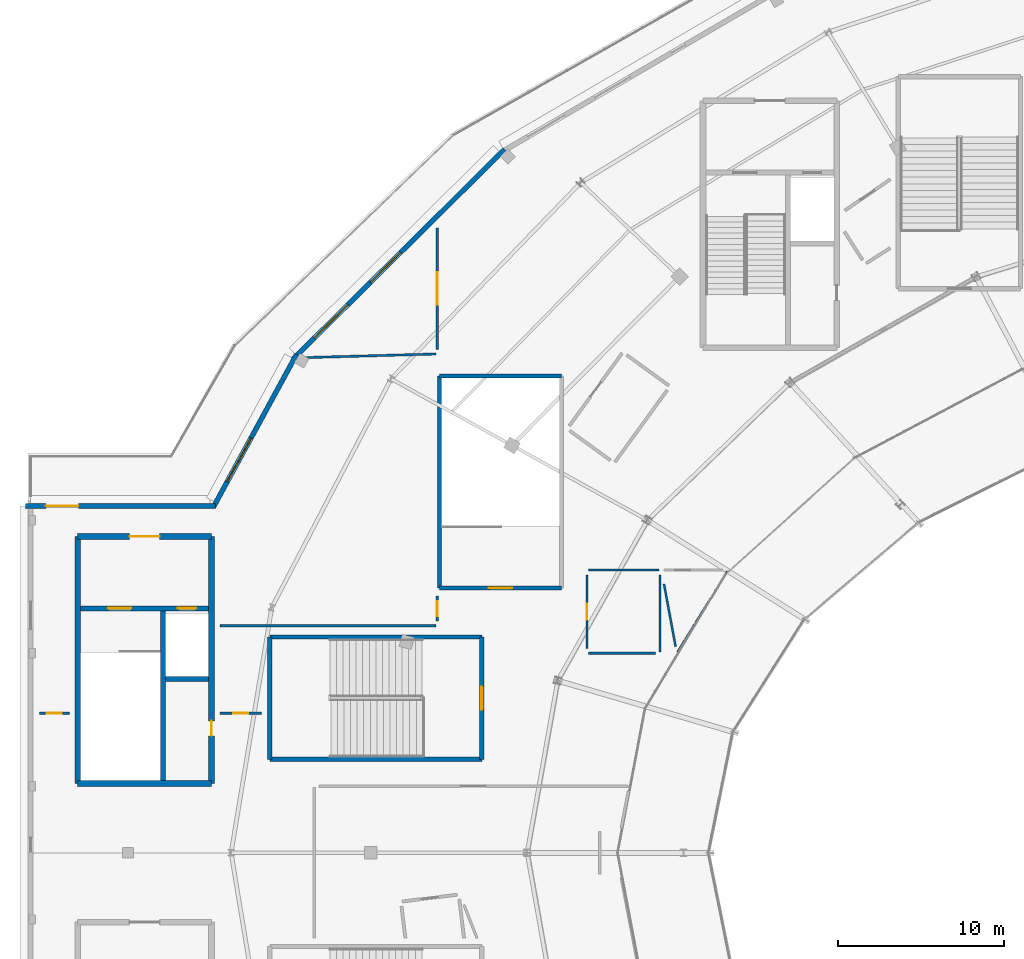
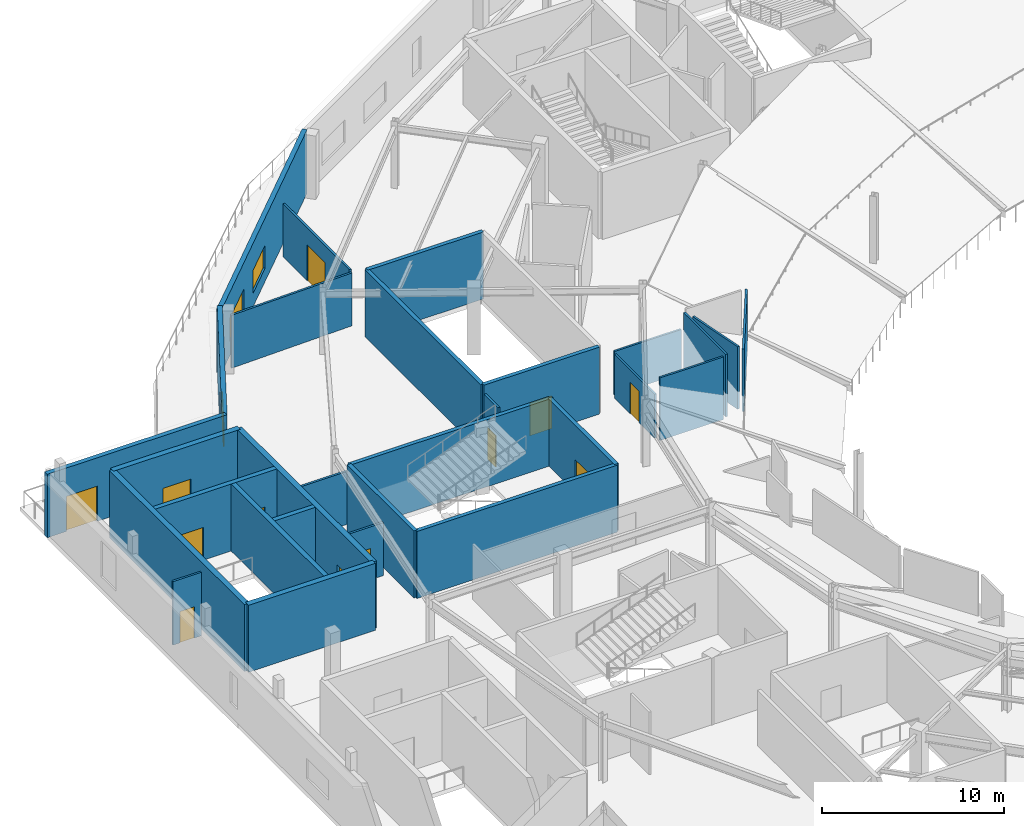
# One storey, part 36 of 63: 29 walls, 12 doors, 3 windows, 15 openings.
"""IFC4 building model written with IfcOpenShell, lengths in metres."""

from ifc_helpers import new_model, si_unit, direction, frame, frame_2d, origin, place, context, subcontext, project, spatial, rectangle, extrude, material, layer, layer_set, type_object, element, fill, save


model = new_model("IFC4")

# Units and contexts
model_context = context("Model", 3, precision=1e-05, world=origin(), true_north=direction((0.0, 1.0)))
body_context = subcontext(model_context, "Body", "Model", "MODEL_VIEW")
ifc_project = project(units=[si_unit("LENGTHUNIT", "METRE"), si_unit("AREAUNIT", "SQUARE_METRE"), si_unit("VOLUMEUNIT", "CUBIC_METRE"), si_unit("PLANEANGLEUNIT", "RADIAN"), si_unit("MASSUNIT", "GRAM", prefix="KILO")], contexts=[model_context])

# Site, building, storey
site_placement = place(None, origin())
site = spatial("IfcSite", under=ifc_project, at=site_placement, CompositionType="ELEMENT")
building_placement = place(site_placement, origin())
building = spatial("IfcBuilding", under=site, at=building_placement, Name="Kalgoora Escarpment Arena", CompositionType="ELEMENT")
storey_placement = place(building_placement, frame((0.0, 0.0, 14.39990234375)))
storey = spatial("IfcBuildingStorey", under=building, at=storey_placement, Name="L03", CompositionType="ELEMENT", Elevation=14.39990234375)

# Wall
ifc_material_1 = material(Name="Concrete N50 (fc' 50 MPa)", Category="concrete")
ifc_layer_1 = layer(ifc_material_1, 0.35009765625)
ifc_layer_set_1 = layer_set([ifc_layer_1], Name="WAL-CORE-350")
wall_type_1 = type_object("IfcWallType", Name="WAL-CORE-350", PredefinedType="SHEAR", material=ifc_layer_set_1)
wall_1_placement = place(storey_placement, frame((11.375, 68.175048828125, 0.0), z_axis=(0.0, 0.0, 1.0), x_axis=(1.0, 0.0, 0.0)))
element("IfcWall", 1, at=wall_1_placement, inside=storey, type_object=wall_type_1, Name="Core C1 L03 south shear wall", PredefinedType="SHEAR", context=body_context, shape_type="SweptSolid", body=[
    extrude(rectangle(XDim=8.050048828125, YDim=0.35009765625, at=frame_2d((4.02490234375, 0.0))), origin(), (0.0, 0.0, 1.0), 4.5),
])

# Wall, opening, door
wall_2_placement = place(storey_placement, frame((11.375, 83.02490234375, 0.0), z_axis=(0.0, 0.0, 1.0), x_axis=(1.0, 0.0, 0.0)))
wall_2 = element("IfcWall", 2, at=wall_2_placement, inside=storey, type_object=wall_type_1, Name="Core C1 L03 north lobby wall", PredefinedType="SHEAR", context=body_context, shape_type="SweptSolid", body=[
    extrude(rectangle(XDim=8.050048828125, YDim=0.35009765625, at=frame_2d((4.02490234375, 0.0))), origin(), (0.0, 0.0, 1.0), 4.5),
])
opening_1_placement = place(wall_2_placement, frame((3.125, 0.0, 0.0)))
opening_1 = element("IfcOpeningElement", 3, at=opening_1_placement, cuts=wall_2, Name="Opening FD-C1L", PredefinedType="OPENING", context=body_context, shape_type="SweptSolid", body=[
    extrude(rectangle(XDim=1.800048828125, YDim=2.25, at=frame_2d((0.89990234375, 1.125))), frame((0.0, 0.18505859375, 0.0), z_axis=(0.0, -1.0, 0.0), x_axis=(1.0, 0.0, 0.0)), (0.0, 0.0, 1.0), 0.3701171875),
])
ifc_material_2 = material(Name="Double fire-rated smoke-seal lobby door")
door_type_1 = type_object("IfcDoorType", Name="DR-LOBBY-1800", OperationType="NOTDEFINED", PredefinedType="DOOR", material=ifc_material_2)
door_1_placement = place(opening_1_placement, origin())
door_1 = element("IfcDoor", 4, at=door_1_placement, inside=storey, type_object=door_type_1, Name="Core C1 L03 smoke-lobby fire door", OperationType="DOUBLE_DOOR_SINGLE_SWING", OverallHeight=2.25, OverallWidth=1.800048828125, PredefinedType="DOOR", context=body_context, shape_type="SweptSolid", body=[
    extrude(rectangle(XDim=1.800048828125, YDim=2.25, at=frame_2d((0.89990234375, 1.125))), frame((0.0, 0.02490234375, 0.0), z_axis=(0.0, -1.0, 0.0), x_axis=(1.0, 0.0, 0.0)), (0.0, 0.0, 1.0), 0.050048828125),
])
fill(opening_1, door_1)

# Wall
wall_3_placement = place(storey_placement, frame((11.375, 68.175048828125, 0.0), z_axis=(0.0, 0.0, 1.0), x_axis=(0.0, 1.0, 0.0)))
element("IfcWall", 5, at=wall_3_placement, inside=storey, type_object=wall_type_1, Name="Core C1 L03 west shear wall", PredefinedType="SHEAR", context=body_context, shape_type="SweptSolid", body=[
    extrude(rectangle(XDim=14.849853515625, YDim=0.35009765625, at=frame_2d((7.4248046875, 0.0))), origin(), (0.0, 0.0, 1.0), 4.5),
])

# Wall, opening, door
wall_4_placement = place(storey_placement, frame((19.425048828125, 68.175048828125, 0.0), z_axis=(0.0, 0.0, 1.0), x_axis=(0.0, 1.0, 0.0)))
wall_4 = element("IfcWall", 6, at=wall_4_placement, inside=storey, type_object=wall_type_1, Name="Core C1 L03 east shear wall", PredefinedType="SHEAR", context=body_context, shape_type="SweptSolid", body=[
    extrude(rectangle(XDim=14.849853515625, YDim=0.35009765625, at=frame_2d((7.4248046875, 0.0))), origin(), (0.0, 0.0, 1.0), 4.5),
])
opening_2_placement = place(wall_4_placement, frame((2.85498046875, 0.0, 0.0)))
opening_2 = element("IfcOpeningElement", 7, at=opening_2_placement, cuts=wall_4, Name="Opening FD-C1R", PredefinedType="OPENING", context=body_context, shape_type="SweptSolid", body=[
    extrude(rectangle(XDim=0.89990234375, YDim=2.10009765625, at=frame_2d((0.449951171875, 1.050048828125))), frame((0.0, 0.18505859375, 0.0), z_axis=(0.0, -1.0, 0.0), x_axis=(1.0, 0.0, 0.0)), (0.0, 0.0, 1.0), 0.3701171875),
])
ifc_material_3 = material(Name="Fire-rated steel riser access door", Category="steel")
door_type_2 = type_object("IfcDoorType", Name="DR-RISER-0900", OperationType="NOTDEFINED", PredefinedType="DOOR", material=ifc_material_3)
door_2_placement = place(opening_2_placement, origin())
door_2 = element("IfcDoor", 8, at=door_2_placement, inside=storey, type_object=door_type_2, Name="Core C1 L03 riser cupboard access door", OperationType="SINGLE_SWING_RIGHT", OverallHeight=2.10009765625, OverallWidth=0.89990234375, PredefinedType="DOOR", context=body_context, shape_type="SweptSolid", body=[
    extrude(rectangle(XDim=0.89990234375, YDim=2.10009765625, at=frame_2d((0.449951171875, 1.050048828125))), frame((0.0, 0.02490234375, 0.0), z_axis=(0.0, -1.0, 0.0), x_axis=(1.0, 0.0, 0.0)), (0.0, 0.0, 1.0), 0.050048828125),
])
fill(opening_2, door_2)

ifc_material_4 = material(Name="Hospitality acoustic drywall partition", Category="gypsum")
ifc_layer_2 = layer(ifc_material_4, 0.135009765625)
ifc_layer_set_2 = layer_set([ifc_layer_2], Name="WAL-DIN-135")
wall_type_2 = type_object("IfcWallType", Name="WAL-DIN-135", PredefinedType="PARTITIONING", material=ifc_layer_set_2)
wall_5_placement = place(storey_placement, frame((10.875, 72.39990234375, 0.0), z_axis=(0.0, 0.0, 1.0), x_axis=(-1.0, 0.0, 0.0)))
wall_5 = element("IfcWall", 9, at=wall_5_placement, inside=storey, type_object=wall_type_2, Name="L03 Escarpment Panorama Bar partition wall", PredefinedType="PARTITIONING", context=body_context, shape_type="SweptSolid", body=[
    extrude(rectangle(XDim=1.800048828125, YDim=0.135009765625, at=frame_2d((0.89990234375, 0.0))), origin(), (0.0, 0.0, 1.0), 4.260009765625),
])
opening_3_placement = place(wall_5_placement, frame((0.449951171875, 0.0, 0.0)))
opening_3 = element("IfcOpeningElement", 10, at=opening_3_placement, cuts=wall_5, Name="Opening FD-I117", PredefinedType="OPENING", context=body_context, shape_type="SweptSolid", body=[
    extrude(rectangle(XDim=0.89990234375, YDim=2.10009765625, at=frame_2d((0.449951171875, 1.050048828125))), frame((0.0, 0.077392578125, 0.0), z_axis=(0.0, -1.0, 0.0), x_axis=(1.0, 0.0, 0.0)), (0.0, 0.0, 1.0), 0.155029296875),
])
door_3_placement = place(opening_3_placement, origin())
door_3 = element("IfcDoor", 11, at=door_3_placement, inside=storey, type_object=door_type_2, Name="Escarpment Panorama Bar entrance door", OperationType="SINGLE_SWING_LEFT", OverallHeight=2.10009765625, OverallWidth=0.89990234375, PredefinedType="DOOR", context=body_context, shape_type="SweptSolid", body=[
    extrude(rectangle(XDim=0.89990234375, YDim=2.10009765625, at=frame_2d((0.449951171875, 1.050048828125))), frame((0.0, 0.02490234375, 0.0), z_axis=(0.0, -1.0, 0.0), x_axis=(1.0, 0.0, 0.0)), (0.0, 0.0, 1.0), 0.050048828125),
])
fill(opening_3, door_3)

wall_6_placement = place(storey_placement, frame((22.425048828125, 72.39990234375, 0.0), z_axis=(0.0, 0.0, 1.0), x_axis=(-1.0, 0.0, 0.0)))
wall_6 = element("IfcWall", 12, at=wall_6_placement, inside=storey, type_object=wall_type_2, Name="L03 Escarpment Panorama Bar 2 partition wall", PredefinedType="PARTITIONING", context=body_context, shape_type="SweptSolid", body=[
    extrude(rectangle(XDim=2.5, YDim=0.135009765625, at=frame_2d((1.25, 0.0))), origin(), (0.0, 0.0, 1.0), 3.552978515625),
])
opening_4_placement = place(wall_6_placement, frame((0.800048828125, 0.0, 0.0)))
opening_4 = element("IfcOpeningElement", 13, at=opening_4_placement, cuts=wall_6, Name="Opening FD-I118", PredefinedType="OPENING", context=body_context, shape_type="SweptSolid", body=[
    extrude(rectangle(XDim=0.89990234375, YDim=2.10009765625, at=frame_2d((0.449951171875, 1.050048828125))), frame((0.0, 0.077392578125, 0.0), z_axis=(0.0, -1.0, 0.0), x_axis=(1.0, 0.0, 0.0)), (0.0, 0.0, 1.0), 0.155029296875),
])
door_4_placement = place(opening_4_placement, origin())
door_4 = element("IfcDoor", 14, at=door_4_placement, inside=storey, type_object=door_type_2, Name="Escarpment Panorama Bar 2 entrance door", OperationType="SINGLE_SWING_RIGHT", OverallHeight=2.10009765625, OverallWidth=0.89990234375, PredefinedType="DOOR", context=body_context, shape_type="SweptSolid", body=[
    extrude(rectangle(XDim=0.89990234375, YDim=2.10009765625, at=frame_2d((0.449951171875, 1.050048828125))), frame((0.0, 0.02490234375, 0.0), z_axis=(0.0, -1.0, 0.0), x_axis=(1.0, 0.0, 0.0)), (0.0, 0.0, 1.0), 0.050048828125),
])
fill(opening_4, door_4)

# Walls
wall_7_placement = place(storey_placement, frame((19.925048828125, 77.64990234375, 0.0), z_axis=(0.0, 0.0, 1.0), x_axis=(1.0, 0.0, 0.0)))
element("IfcWall", 15, at=wall_7_placement, inside=storey, type_object=wall_type_2, Name="L03 Escarpment Panorama Bar 2 partition wall", PredefinedType="PARTITIONING", context=body_context, shape_type="SweptSolid", body=[
    extrude(rectangle(XDim=12.994873046875, YDim=0.135009765625, at=frame_2d((6.49755859375, 0.0))), origin(), (0.0, 0.0, 1.0), 3.552978515625),
])
wall_8_placement = place(storey_placement, frame((25.135986328125, 93.78369140625, 0.0), z_axis=(0.0, 0.0, 1.0), x_axis=(0.999621901922, 0.027496421541, 0.0)))
element("IfcWall", 16, at=wall_8_placement, inside=storey, type_object=wall_type_2, Name="L03 Escarpment Panorama Bar 3 partition wall", PredefinedType="PARTITIONING", context=body_context, shape_type="SweptSolid", body=[
    extrude(rectangle(XDim=7.786865234375, YDim=0.135009765625, at=frame_2d((3.8935546875, 0.0))), origin(), (0.0, 0.0, 1.0), 3.552978515625),
])

# Wall, opening, door
wall_9_placement = place(storey_placement, frame((33.0, 79.444091796875, 0.0), z_axis=(0.0, 0.0, 1.0), x_axis=(0.0, -1.0, 0.0)))
wall_9 = element("IfcWall", 17, at=wall_9_placement, inside=storey, type_object=wall_type_2, Name="L03 Escarpment Panorama Bar 3 partition wall", PredefinedType="PARTITIONING", context=body_context, shape_type="SweptSolid", body=[
    extrude(rectangle(XDim=1.50927734375, YDim=0.135009765625, at=frame_2d((0.754638671875, 0.0))), origin(), (0.0, 0.0, 1.0), 4.190185546875),
])
opening_5_placement = place(wall_9_placement, frame((0.3046875, 0.0, 0.0)))
opening_5 = element("IfcOpeningElement", 18, at=opening_5_placement, cuts=wall_9, Name="Opening FD-I119", PredefinedType="OPENING", context=body_context, shape_type="SweptSolid", body=[
    extrude(rectangle(XDim=0.89990234375, YDim=2.10009765625, at=frame_2d((0.449951171875, 1.050048828125))), frame((0.0, 0.077392578125, 0.0), z_axis=(0.0, -1.0, 0.0), x_axis=(1.0, 0.0, 0.0)), (0.0, 0.0, 1.0), 0.155029296875),
])
door_5_placement = place(opening_5_placement, origin())
door_5 = element("IfcDoor", 19, at=door_5_placement, inside=storey, type_object=door_type_2, Name="Escarpment Panorama Bar 3 entrance door", OperationType="SINGLE_SWING_LEFT", OverallHeight=2.10009765625, OverallWidth=0.89990234375, PredefinedType="DOOR", context=body_context, shape_type="SweptSolid", body=[
    extrude(rectangle(XDim=0.89990234375, YDim=2.10009765625, at=frame_2d((0.449951171875, 1.050048828125))), frame((0.0, 0.02490234375, 0.0), z_axis=(0.0, -1.0, 0.0), x_axis=(1.0, 0.0, 0.0)), (0.0, 0.0, 1.0), 0.050048828125),
])
fill(opening_5, door_5)

wall_10_placement = place(storey_placement, frame((33.0, 101.578125, 0.0), z_axis=(0.0, 0.0, 1.0), x_axis=(0.0, -1.0, 0.0)))
wall_10 = element("IfcWall", 20, at=wall_10_placement, inside=storey, type_object=wall_type_2, Name="L03 Supporters Terrace Lounge partition wall", PredefinedType="PARTITIONING", context=body_context, shape_type="SweptSolid", body=[
    extrude(rectangle(XDim=7.29541015625, YDim=0.135009765625, at=frame_2d((3.647705078125, 0.0))), origin(), (0.0, 0.0, 1.0), 3.552978515625),
])
opening_6_placement = place(wall_10_placement, frame((2.672607421875, 0.0, 0.0)))
opening_6 = element("IfcOpeningElement", 21, at=opening_6_placement, cuts=wall_10, Name="Opening FD-I120", PredefinedType="OPENING", context=body_context, shape_type="SweptSolid", body=[
    extrude(rectangle(XDim=1.949951171875, YDim=2.39990234375, at=frame_2d((0.97509765625, 1.199951171875))), frame((0.0, 0.077392578125, 0.0), z_axis=(0.0, -1.0, 0.0), x_axis=(1.0, 0.0, 0.0)), (0.0, 0.0, 1.0), 0.155029296875),
])
ifc_material_5 = material(Name="Glazed champagne-framed hospitality double door")
door_type_3 = type_object("IfcDoorType", Name="DR-CLUB-1950", OperationType="NOTDEFINED", PredefinedType="DOOR", material=ifc_material_5)
door_6_placement = place(opening_6_placement, origin())
door_6 = element("IfcDoor", 22, at=door_6_placement, inside=storey, type_object=door_type_3, Name="Supporters Terrace Lounge entrance door", OperationType="DOUBLE_DOOR_SINGLE_SWING", OverallHeight=2.39990234375, OverallWidth=1.949951171875, PredefinedType="DOOR", context=body_context, shape_type="SweptSolid", body=[
    extrude(rectangle(XDim=1.949951171875, YDim=2.39990234375, at=frame_2d((0.97509765625, 1.199951171875))), frame((0.0, 0.02490234375, 0.0), z_axis=(0.0, -1.0, 0.0), x_axis=(1.0, 0.0, 0.0)), (0.0, 0.0, 1.0), 0.050048828125),
])
fill(opening_6, door_6)

ifc_material_6 = material(Name="Upper concourse insulated spandrel wall 40 MPa", Category="concrete")
ifc_layer_3 = layer(ifc_material_6, 0.2900390625)
ifc_layer_set_3 = layer_set([ifc_layer_3], Name="WAL-EXT-290")
wall_type_3 = type_object("IfcWallType", Name="WAL-EXT-290", PredefinedType="SOLIDWALL", material=ifc_layer_set_3)
wall_11_placement = place(storey_placement, frame((8.231689453125, 84.85498046875, 0.0), z_axis=(0.0, 0.0, 1.0), x_axis=(1.0, 0.0, 0.0)))
wall_11 = element("IfcWall", 23, at=wall_11_placement, inside=storey, type_object=wall_type_3, Name="L03 limestone-faced external wall 054", PredefinedType="SOLIDWALL", context=body_context, shape_type="SweptSolid", body=[
    extrude(rectangle(XDim=11.42138671875, YDim=0.2900390625, at=frame_2d((5.710693359375, 0.0))), origin(), (0.0, 0.0, 1.0), 4.260009765625),
])
opening_7_placement = place(wall_11_placement, frame((1.23095703125, 0.0, 0.0)))
opening_7 = element("IfcOpeningElement", 24, at=opening_7_placement, cuts=wall_11, Name="Opening TD25", PredefinedType="OPENING", context=body_context, shape_type="SweptSolid", body=[
    extrude(rectangle(XDim=1.949951171875, YDim=2.35009765625, at=frame_2d((0.97509765625, 1.175048828125))), frame((0.0, 0.155029296875, 0.0), z_axis=(0.0, -1.0, 0.0), x_axis=(1.0, 0.0, 0.0)), (0.0, 0.0, 1.0), 0.31005859375),
])
ifc_material_7 = material(Name="Thermally broken aluminium glazed terrace double door", Category="aluminium")
door_type_4 = type_object("IfcDoorType", Name="DR-TERR-1950", OperationType="NOTDEFINED", PredefinedType="DOOR", material=ifc_material_7)
door_7_placement = place(opening_7_placement, origin())
door_7 = element("IfcDoor", 25, at=door_7_placement, inside=storey, type_object=door_type_4, Name="Upper Planted Elliptical Garden Terrace access door TD25", OperationType="DOUBLE_DOOR_SINGLE_SWING", OverallHeight=2.35009765625, OverallWidth=1.949951171875, PredefinedType="DOOR", context=body_context, shape_type="SweptSolid", body=[
    extrude(rectangle(XDim=1.949951171875, YDim=2.35009765625, at=frame_2d((0.97509765625, 1.175048828125))), frame((0.0, 0.02490234375, 0.0), z_axis=(0.0, -1.0, 0.0), x_axis=(1.0, 0.0, 0.0)), (0.0, 0.0, 1.0), 0.050048828125),
])
fill(opening_7, door_7)

# Wall, opening, window
wall_12_placement = place(storey_placement, frame((19.53173828125, 84.782958984375, 0.0), z_axis=(0.0, 0.0, 1.0), x_axis=(0.478159273108, 0.878273140623, 0.0)))
wall_12 = element("IfcWall", 26, at=wall_12_placement, inside=storey, type_object=wall_type_3, Name="L03 limestone-faced external wall 055", PredefinedType="SOLIDWALL", context=body_context, shape_type="SweptSolid", body=[
    extrude(rectangle(XDim=10.469970703125, YDim=0.2900390625, at=frame_2d((5.23486328125, 0.0))), origin(), (0.0, 0.0, 1.0), 4.260009765625),
])
opening_8_placement = place(wall_12_placement, frame((1.75, 0.0, 0.89990234375)))
opening_8 = element("IfcOpeningElement", 27, at=opening_8_placement, cuts=wall_12, Name="Opening W-10", PredefinedType="OPENING", context=body_context, shape_type="SweptSolid", body=[
    extrude(rectangle(XDim=3.0, YDim=1.60009765625, at=frame_2d((1.5, 0.800048828125))), frame((0.0, 0.155029296875, 0.0), z_axis=(0.0, -1.0, 0.0), x_axis=(1.0, 0.0, 0.0)), (0.0, 0.0, 1.0), 0.31005859375),
])
ifc_material_8 = material(Name="Low-E solar-control double glazing in champagne frame", Category="glass")
window_type_1 = type_object("IfcWindowType", Name="WIN-BAND-3000x1600", PartitioningType="SINGLE_PANEL", PredefinedType="WINDOW", material=ifc_material_8)
window_1_placement = place(opening_8_placement, origin())
window_1 = element("IfcWindow", 28, at=window_1_placement, inside=storey, type_object=window_type_1, Name="L03 scheduled facade window 070", OverallHeight=1.60009765625, OverallWidth=3.0, PartitioningType="SINGLE_PANEL", PredefinedType="WINDOW", context=body_context, shape_type="SweptSolid", body=[
    extrude(rectangle(XDim=3.0, YDim=1.60009765625, at=frame_2d((1.5, 0.800048828125))), frame((0.0, 0.030029296875, 0.0), z_axis=(0.0, -1.0, 0.0), x_axis=(1.0, 0.0, 0.0)), (0.0, 0.0, 1.0), 0.06005859375),
])
fill(opening_8, window_1)

# Wall, openings, windows
wall_13_placement = place(storey_placement, frame((24.31298828125, 93.6787109375, 0.0), z_axis=(0.0, 0.0, 1.0), x_axis=(0.71011693404, 0.704083759214, 0.0)))
wall_13 = element("IfcWall", 29, at=wall_13_placement, inside=storey, type_object=wall_type_3, Name="L03 limestone-faced external wall 056", PredefinedType="SOLIDWALL", context=body_context, shape_type="SweptSolid", body=[
    extrude(rectangle(XDim=17.926513671875, YDim=0.2900390625, at=frame_2d((8.96337890625, 0.0))), origin(), (0.0, 0.0, 1.0), 4.260009765625),
])
opening_9_placement = place(wall_13_placement, frame((1.824951171875, 0.0, 0.89990234375)))
opening_9 = element("IfcOpeningElement", 30, at=opening_9_placement, cuts=wall_13, Name="Opening W-11", PredefinedType="OPENING", context=body_context, shape_type="SweptSolid", body=[
    extrude(rectangle(XDim=2.85009765625, YDim=1.60009765625, at=frame_2d((1.425048828125, 0.800048828125))), frame((0.0, 0.155029296875, 0.0), z_axis=(0.0, -1.0, 0.0), x_axis=(1.0, 0.0, 0.0)), (0.0, 0.0, 1.0), 0.31005859375),
])
opening_10_placement = place(wall_13_placement, frame((6.574951171875, 0.0, 0.89990234375)))
opening_10 = element("IfcOpeningElement", 31, at=opening_10_placement, cuts=wall_13, Name="Opening W-13", PredefinedType="OPENING", context=body_context, shape_type="SweptSolid", body=[
    extrude(rectangle(XDim=2.550048828125, YDim=1.550048828125, at=frame_2d((1.27490234375, 0.77490234375))), frame((0.0, 0.155029296875, 0.0), z_axis=(0.0, -1.0, 0.0), x_axis=(1.0, 0.0, 0.0)), (0.0, 0.0, 1.0), 0.31005859375),
])
ifc_material_9 = material(Name="Low-E solar-control double glazing in champagne frame", Category="glass")
window_type_2 = type_object("IfcWindowType", Name="WIN-BAND-2550x1550", PartitioningType="SINGLE_PANEL", PredefinedType="WINDOW", material=ifc_material_9)
window_2_placement = place(opening_10_placement, origin())
window_2 = element("IfcWindow", 32, at=window_2_placement, inside=storey, type_object=window_type_2, Name="L03 scheduled facade window 072", OverallHeight=1.550048828125, OverallWidth=2.550048828125, PartitioningType="SINGLE_PANEL", PredefinedType="WINDOW", context=body_context, shape_type="SweptSolid", body=[
    extrude(rectangle(XDim=2.550048828125, YDim=1.550048828125, at=frame_2d((1.27490234375, 0.77490234375))), frame((0.0, 0.030029296875, 0.0), z_axis=(0.0, -1.0, 0.0), x_axis=(1.0, 0.0, 0.0)), (0.0, 0.0, 1.0), 0.06005859375),
])
fill(opening_10, window_2)
ifc_material_10 = material(Name="Low-E solar-control double glazing in champagne frame", Category="glass")
window_type_3 = type_object("IfcWindowType", Name="WIN-BAND-2850x1600", PartitioningType="SINGLE_PANEL", PredefinedType="WINDOW", material=ifc_material_10)
window_3_placement = place(opening_9_placement, origin())
window_3 = element("IfcWindow", 33, at=window_3_placement, inside=storey, type_object=window_type_3, Name="L03 scheduled facade window 071", OverallHeight=1.60009765625, OverallWidth=2.85009765625, PartitioningType="SINGLE_PANEL", PredefinedType="WINDOW", context=body_context, shape_type="SweptSolid", body=[
    extrude(rectangle(XDim=2.85009765625, YDim=1.60009765625, at=frame_2d((1.425048828125, 0.800048828125))), frame((0.0, 0.030029296875, 0.0), z_axis=(0.0, -1.0, 0.0), x_axis=(1.0, 0.0, 0.0)), (0.0, 0.0, 1.0), 0.06005859375),
])
fill(opening_9, window_3)

# Wall, openings, doors
ifc_material_11 = material(Name="Concrete N50 (fc' 50 MPa)", Category="concrete")
ifc_layer_4 = layer(ifc_material_11, 0.300048828125)
ifc_layer_set_4 = layer_set([ifc_layer_4], Name="WAL-SHAFT-300")
wall_type_4 = type_object("IfcWallType", Name="WAL-SHAFT-300", PredefinedType="SHEAR", material=ifc_layer_set_4)
wall_14_placement = place(storey_placement, frame((11.550048828125, 78.699951171875, 0.0), z_axis=(0.0, 0.0, 1.0), x_axis=(1.0, 0.0, 0.0)))
wall_14 = element("IfcWall", 34, at=wall_14_placement, inside=storey, type_object=wall_type_4, Name="Core C1 L03 lobby shaft wall", PredefinedType="SHEAR", context=body_context, shape_type="SweptSolid", body=[
    extrude(rectangle(XDim=7.699951171875, YDim=0.300048828125, at=frame_2d((3.85009765625, 0.0))), origin(), (0.0, 0.0, 1.0), 4.5),
])
opening_11_placement = place(wall_14_placement, frame((1.64990234375, 0.0, 0.0)))
opening_11 = element("IfcOpeningElement", 35, at=opening_11_placement, cuts=wall_14, Name="Opening FD-ST01", PredefinedType="OPENING", context=body_context, shape_type="SweptSolid", body=[
    extrude(rectangle(XDim=1.39990234375, YDim=2.199951171875, at=frame_2d((0.699951171875, 1.10009765625))), frame((0.0, 0.159912109375, 0.0), z_axis=(0.0, -1.0, 0.0), x_axis=(1.0, 0.0, 0.0)), (0.0, 0.0, 1.0), 0.320068359375),
])
opening_12_placement = place(wall_14_placement, frame((5.85009765625, 0.0, 0.0)))
opening_12 = element("IfcOpeningElement", 36, at=opening_12_placement, cuts=wall_14, Name="Opening LD-EL1", PredefinedType="OPENING", context=body_context, shape_type="SweptSolid", body=[
    extrude(rectangle(XDim=1.10009765625, YDim=2.199951171875, at=frame_2d((0.550048828125, 1.10009765625))), frame((0.0, 0.159912109375, 0.0), z_axis=(0.0, -1.0, 0.0), x_axis=(1.0, 0.0, 0.0)), (0.0, 0.0, 1.0), 0.320068359375),
])
ifc_material_12 = material(Name="Brushed stainless steel sliding lift landing door", Category="steel")
door_type_5 = type_object("IfcDoorType", Name="DR-LD-EL1", OperationType="SLIDING_TO_LEFT", PredefinedType="DOOR", material=ifc_material_12)
door_8_placement = place(opening_12_placement, origin())
door_8 = element("IfcDoor", 37, at=door_8_placement, inside=storey, type_object=door_type_5, Name="Lift EL1 L03 sliding landing door", OperationType="SLIDING_TO_LEFT", OverallHeight=2.199951171875, OverallWidth=1.10009765625, PredefinedType="DOOR", context=body_context, shape_type="SweptSolid", body=[
    extrude(rectangle(XDim=1.10009765625, YDim=2.199951171875, at=frame_2d((0.550048828125, 1.10009765625))), frame((0.0, 0.02490234375, 0.0), z_axis=(0.0, -1.0, 0.0), x_axis=(1.0, 0.0, 0.0)), (0.0, 0.0, 1.0), 0.050048828125),
])
fill(opening_12, door_8)
ifc_material_13 = material(Name="Fire-rated steel stair leaf with vision panel", Category="steel")
door_type_6 = type_object("IfcDoorType", Name="DR-STAIR-1400", OperationType="NOTDEFINED", PredefinedType="DOOR", material=ifc_material_13)
door_9_placement = place(opening_11_placement, origin())
door_9 = element("IfcDoor", 38, at=door_9_placement, inside=storey, type_object=door_type_6, Name="Fire stair ST01 L03 fire door", OperationType="SINGLE_SWING_LEFT", OverallHeight=2.199951171875, OverallWidth=1.39990234375, PredefinedType="DOOR", context=body_context, shape_type="SweptSolid", body=[
    extrude(rectangle(XDim=1.39990234375, YDim=2.199951171875, at=frame_2d((0.699951171875, 1.10009765625))), frame((0.0, 0.02490234375, 0.0), z_axis=(0.0, -1.0, 0.0), x_axis=(1.0, 0.0, 0.0)), (0.0, 0.0, 1.0), 0.050048828125),
])
fill(opening_11, door_9)

# Walls
wall_15_placement = place(storey_placement, frame((16.5, 68.35009765625, 0.0), z_axis=(0.0, 0.0, 1.0), x_axis=(0.0, 1.0, 0.0)))
element("IfcWall", 39, at=wall_15_placement, inside=storey, type_object=wall_type_4, Name="Core C1 L03 stair-lift spine wall", PredefinedType="SHEAR", context=body_context, shape_type="SweptSolid", body=[
    extrude(rectangle(XDim=10.349853515625, YDim=0.300048828125, at=frame_2d((5.1748046875, 0.0))), origin(), (0.0, 0.0, 1.0), 4.5),
])
wall_16_placement = place(storey_placement, frame((16.64990234375, 74.449951171875, 0.0), z_axis=(0.0, 0.0, 1.0), x_axis=(1.0, 0.0, 0.0)))
element("IfcWall", 40, at=wall_16_placement, inside=storey, type_object=wall_type_4, Name="Core C1 L03 lift-riser divider wall", PredefinedType="SHEAR", context=body_context, shape_type="SweptSolid", body=[
    extrude(rectangle(XDim=2.60009765625, YDim=0.300048828125, at=frame_2d((1.300048828125, 0.0))), origin(), (0.0, 0.0, 1.0), 4.5),
])
ifc_material_14 = material(Name="Concrete N50 (fc' 50 MPa)", Category="concrete")
ifc_layer_5 = layer(ifc_material_14, 0.25)
ifc_layer_set_5 = layer_set([ifc_layer_5], Name="WAL-STAIR-250")
wall_type_5 = type_object("IfcWallType", Name="WAL-STAIR-250", PredefinedType="SHEAR", material=ifc_layer_set_5)
for number, where, z_axis, x_axis, name in (
    (41, (22.925048828125, 69.625, 0.0), (0.0, 0.0, 1.0), (1.0, 0.0, 0.0), "Exit stair ST17 L03 south wall"),
    (42, (22.925048828125, 76.97509765625, 0.0), (0.0, 0.0, 1.0), (1.0, 0.0, 0.0), "Exit stair ST17 L03 north wall"),
):
    element("IfcWall", number, at=place(storey_placement, frame(where, z_axis=z_axis, x_axis=x_axis)), inside=storey, type_object=wall_type_5, Name=name, PredefinedType="SHEAR", context=body_context, shape_type="SweptSolid", body=[
        extrude(rectangle(XDim=12.75, YDim=0.25, at=frame_2d((6.375, 0.0))), origin(), (0.0, 0.0, 1.0), 4.5),
    ])
wall_17_placement = place(storey_placement, frame((22.925048828125, 69.625, 0.0), z_axis=(0.0, 0.0, 1.0), x_axis=(0.0, 1.0, 0.0)))
element("IfcWall", 43, at=wall_17_placement, inside=storey, type_object=wall_type_5, Name="Exit stair ST17 L03 west wall", PredefinedType="SHEAR", context=body_context, shape_type="SweptSolid", body=[
    extrude(rectangle(XDim=7.35009765625, YDim=0.25, at=frame_2d((3.675048828125, 0.0))), origin(), (0.0, 0.0, 1.0), 4.5),
])

# Wall, opening, door
wall_18_placement = place(storey_placement, frame((35.675048828125, 69.625, 0.0), z_axis=(0.0, 0.0, 1.0), x_axis=(0.0, 1.0, 0.0)))
wall_18 = element("IfcWall", 44, at=wall_18_placement, inside=storey, type_object=wall_type_5, Name="Exit stair ST17 L03 east wall", PredefinedType="SHEAR", context=body_context, shape_type="SweptSolid", body=[
    extrude(rectangle(XDim=7.35009765625, YDim=0.25, at=frame_2d((3.675048828125, 0.0))), origin(), (0.0, 0.0, 1.0), 4.5),
])
opening_13_placement = place(wall_18_placement, frame((2.97509765625, 0.0, 0.0)))
opening_13 = element("IfcOpeningElement", 45, at=opening_13_placement, cuts=wall_18, Name="Opening FD-ST17", PredefinedType="OPENING", context=body_context, shape_type="SweptSolid", body=[
    extrude(rectangle(XDim=1.39990234375, YDim=2.199951171875, at=frame_2d((0.699951171875, 1.10009765625))), frame((0.0, 0.135009765625, 0.0), z_axis=(0.0, -1.0, 0.0), x_axis=(1.0, 0.0, 0.0)), (0.0, 0.0, 1.0), 0.27001953125),
])
door_10_placement = place(opening_13_placement, origin())
door_10 = element("IfcDoor", 46, at=door_10_placement, inside=storey, type_object=door_type_6, Name="Fire-isolated stair ST17 L03 egress door", OperationType="SINGLE_SWING_LEFT", OverallHeight=2.199951171875, OverallWidth=1.39990234375, PredefinedType="DOOR", context=body_context, shape_type="SweptSolid", body=[
    extrude(rectangle(XDim=1.39990234375, YDim=2.199951171875, at=frame_2d((0.699951171875, 1.10009765625))), frame((0.0, 0.02490234375, 0.0), z_axis=(0.0, -1.0, 0.0), x_axis=(1.0, 0.0, 0.0)), (0.0, 0.0, 1.0), 0.050048828125),
])
fill(opening_13, door_10)

wall_19_placement = place(storey_placement, frame((33.125, 79.925048828125, 0.0), z_axis=(0.0, 0.0, 1.0), x_axis=(1.0, 0.0, 0.0)))
wall_19 = element("IfcWall", 47, at=wall_19_placement, inside=storey, type_object=wall_type_5, Name="Exit stair ST19 L03 south wall", PredefinedType="SHEAR", context=body_context, shape_type="SweptSolid", body=[
    extrude(rectangle(XDim=7.35009765625, YDim=0.25, at=frame_2d((3.675048828125, 0.0))), origin(), (0.0, 0.0, 1.0), 4.5),
])
opening_14_placement = place(wall_19_placement, frame((2.97509765625, 0.0, 0.0)))
opening_14 = element("IfcOpeningElement", 48, at=opening_14_placement, cuts=wall_19, Name="Opening FD-ST19", PredefinedType="OPENING", context=body_context, shape_type="SweptSolid", body=[
    extrude(rectangle(XDim=1.39990234375, YDim=2.199951171875, at=frame_2d((0.699951171875, 1.10009765625))), frame((0.0, 0.135009765625, 0.0), z_axis=(0.0, -1.0, 0.0), x_axis=(1.0, 0.0, 0.0)), (0.0, 0.0, 1.0), 0.27001953125),
])
door_11_placement = place(opening_14_placement, origin())
door_11 = element("IfcDoor", 49, at=door_11_placement, inside=storey, type_object=door_type_6, Name="Fire-isolated stair ST19 L03 egress door", OperationType="SINGLE_SWING_LEFT", OverallHeight=2.199951171875, OverallWidth=1.39990234375, PredefinedType="DOOR", context=body_context, shape_type="SweptSolid", body=[
    extrude(rectangle(XDim=1.39990234375, YDim=2.199951171875, at=frame_2d((0.699951171875, 1.10009765625))), frame((0.0, 0.02490234375, 0.0), z_axis=(0.0, -1.0, 0.0), x_axis=(1.0, 0.0, 0.0)), (0.0, 0.0, 1.0), 0.050048828125),
])
fill(opening_14, door_11)

# Walls
wall_20_placement = place(storey_placement, frame((33.125, 92.675048828125, 0.0), z_axis=(0.0, 0.0, 1.0), x_axis=(1.0, 0.0, 0.0)))
element("IfcWall", 50, at=wall_20_placement, inside=storey, type_object=wall_type_5, Name="Exit stair ST19 L03 north wall", PredefinedType="SHEAR", context=body_context, shape_type="SweptSolid", body=[
    extrude(rectangle(XDim=7.35009765625, YDim=0.25, at=frame_2d((3.675048828125, 0.0))), origin(), (0.0, 0.0, 1.0), 4.5),
])
wall_21_placement = place(storey_placement, frame((33.125, 79.925048828125, 0.0), z_axis=(0.0, 0.0, 1.0), x_axis=(0.0, 1.0, 0.0)))
element("IfcWall", 51, at=wall_21_placement, inside=storey, type_object=wall_type_5, Name="Exit stair ST19 L03 west wall", PredefinedType="SHEAR", context=body_context, shape_type="SweptSolid", body=[
    extrude(rectangle(XDim=12.75, YDim=0.25, at=frame_2d((6.375, 0.0))), origin(), (0.0, 0.0, 1.0), 4.5),
])
ifc_material_15 = material(Name="Moisture-resistant wet-area partition", Category="gypsum")
ifc_layer_6 = layer(ifc_material_15, 0.125)
ifc_layer_set_6 = layer_set([ifc_layer_6], Name="WAL-WC-125")
wall_type_6 = type_object("IfcWallType", Name="WAL-WC-125", PredefinedType="PARTITIONING", material=ifc_layer_set_6)
wall_22_placement = place(storey_placement, frame((42.080078125, 81.0, 0.0), z_axis=(0.0, 0.0, 1.0), x_axis=(1.0, 0.0, 0.0)))
element("IfcWall", 52, at=wall_22_placement, inside=storey, type_object=wall_type_6, Name="L03 Male WC 1 partition wall", PredefinedType="PARTITIONING", context=body_context, shape_type="SweptSolid", body=[
    extrude(rectangle(XDim=4.239990234375, YDim=0.125, at=frame_2d((2.1201171875, 0.0))), origin(), (0.0, 0.0, 1.0), 2.943115234375),
])
wall_23_placement = place(storey_placement, frame((46.39990234375, 80.715087890625, 0.0), z_axis=(0.0, 0.0, 1.0), x_axis=(0.0, -1.0, 0.0)))
element("IfcWall", 53, at=wall_23_placement, inside=storey, type_object=wall_type_6, Name="L03 Male WC 1 partition wall", PredefinedType="PARTITIONING", context=body_context, shape_type="SweptSolid", body=[
    extrude(rectangle(XDim=4.635009765625, YDim=0.125, at=frame_2d((2.3173828125, 0.0))), origin(), (0.0, 0.0, 1.0), 4.2001953125),
])
wall_24_placement = place(storey_placement, frame((46.115234375, 76.0, 0.0), z_axis=(0.0, 0.0, 1.0), x_axis=(-1.0, 0.0, 0.0)))
element("IfcWall", 54, at=wall_24_placement, inside=storey, type_object=wall_type_6, Name="L03 Male WC 1 partition wall", PredefinedType="PARTITIONING", context=body_context, shape_type="SweptSolid", body=[
    extrude(rectangle(XDim=4.03515625, YDim=0.125, at=frame_2d((2.017578125, 0.0))), origin(), (0.0, 0.0, 1.0), 4.2001953125),
])

# Wall, opening, door
wall_25_placement = place(storey_placement, frame((42.0, 76.284912109375, 0.0), z_axis=(0.0, 0.0, 1.0), x_axis=(0.0, 1.0, 0.0)))
wall_25 = element("IfcWall", 55, at=wall_25_placement, inside=storey, type_object=wall_type_6, Name="L03 Male WC 1 partition wall", PredefinedType="PARTITIONING", context=body_context, shape_type="SweptSolid", body=[
    extrude(rectangle(XDim=4.43017578125, YDim=0.125, at=frame_2d((2.215087890625, 0.0))), origin(), (0.0, 0.0, 1.0), 2.943115234375),
])
opening_15_placement = place(wall_25_placement, frame((1.740234375, 0.0, 0.0)))
opening_15 = element("IfcOpeningElement", 56, at=opening_15_placement, cuts=wall_25, Name="Opening D-I106", PredefinedType="OPENING", context=body_context, shape_type="SweptSolid", body=[
    extrude(rectangle(XDim=0.949951171875, YDim=2.10009765625, at=frame_2d((0.47509765625, 1.050048828125))), frame((0.0, 0.072509765625, 0.0), z_axis=(0.0, -1.0, 0.0), x_axis=(1.0, 0.0, 0.0)), (0.0, 0.0, 1.0), 0.14501953125),
])
ifc_material_16 = material(Name="Moisture-resistant laminate accessible WC door")
door_type_7 = type_object("IfcDoorType", Name="DR-WC-0950", OperationType="NOTDEFINED", PredefinedType="DOOR", material=ifc_material_16)
door_12_placement = place(opening_15_placement, origin())
door_12 = element("IfcDoor", 57, at=door_12_placement, inside=storey, type_object=door_type_7, Name="Male WC 1 entrance door", OperationType="SINGLE_SWING_RIGHT", OverallHeight=2.10009765625, OverallWidth=0.949951171875, PredefinedType="DOOR", context=body_context, shape_type="SweptSolid", body=[
    extrude(rectangle(XDim=0.949951171875, YDim=2.10009765625, at=frame_2d((0.47509765625, 1.050048828125))), frame((0.0, 0.02490234375, 0.0), z_axis=(0.0, -1.0, 0.0), x_axis=(1.0, 0.0, 0.0)), (0.0, 0.0, 1.0), 0.050048828125),
])
fill(opening_15, door_12)

# Walls
wall_26_placement = place(storey_placement, frame((50.447021484375, 80.931884765625, 0.0), z_axis=(0.0, 0.0, 1.0), x_axis=(-0.524757645572, -0.851251674544, 0.0)))
element("IfcWall", 58, at=wall_26_placement, inside=storey, type_object=wall_type_6, Name="L03 Female WC 1 partition wall", PredefinedType="PARTITIONING", context=body_context, shape_type="SweptSolid", body=[
    extrude(rectangle(XDim=5.713623046875, YDim=0.125, at=frame_2d((2.85693359375, 0.0))), origin(), (0.0, 0.0, 1.0), 4.2001953125),
])
wall_27_placement = place(storey_placement, frame((47.33251953125, 76.40087890625, 0.0), z_axis=(0.0, 0.0, 1.0), x_axis=(-0.182278749463, 0.983246895492, 0.0)))
element("IfcWall", 59, at=wall_27_placement, inside=storey, type_object=wall_type_6, Name="L03 Female WC 1 partition wall", PredefinedType="PARTITIONING", context=body_context, shape_type="SweptSolid", body=[
    extrude(rectangle(XDim=3.829345703125, YDim=0.125, at=frame_2d((1.91455078125, 0.0))), origin(), (0.0, 0.0, 1.0), 4.2001953125),
])

save(model, "model.ifc")
